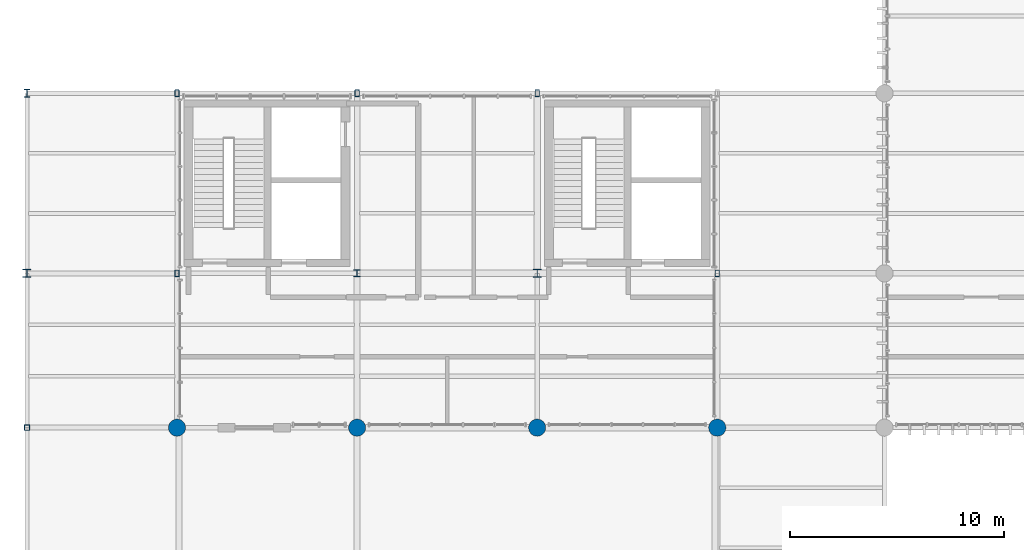
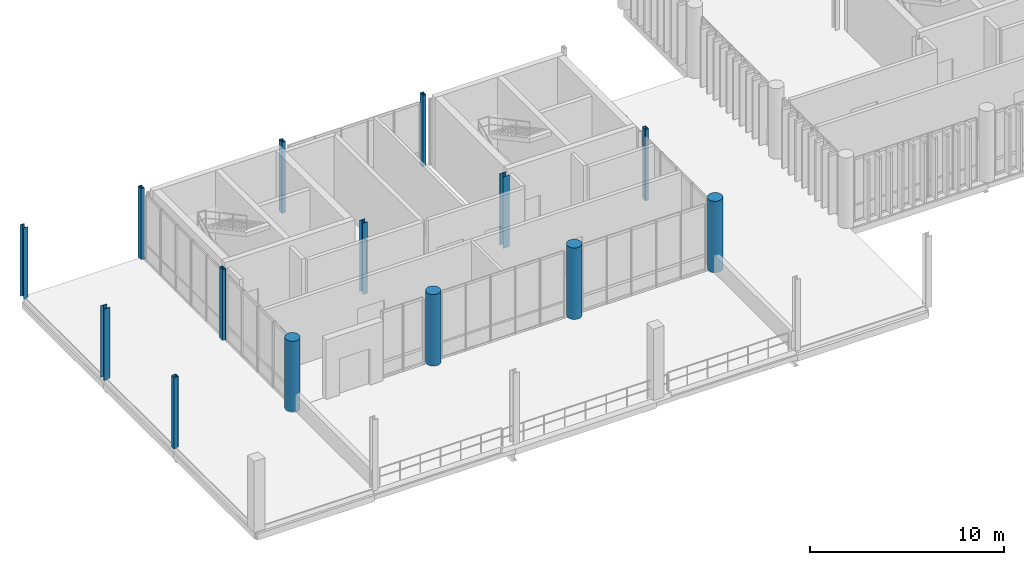
# One storey, part 2 of 68: 14 columns.
"""IFC4 building model written with IfcOpenShell, lengths in metres."""

from ifc_helpers import new_model, si_unit, direction, frame, origin_with_axes, origin_2d_with_axis, place, context, subcontext, project, spatial, hollow_rectangle, circle, i_section, extrude, material, material_profile, profile_set, type_object, element, save


model = new_model("IFC4")

# Units and contexts
model_context = context("Model", 3, precision=1e-05, world=origin_with_axes(), true_north=direction((0.0, 1.0)))
body_context = subcontext(model_context, "Body", "Model", "MODEL_VIEW")
ifc_project = project(units=[si_unit("LENGTHUNIT", "METRE"), si_unit("AREAUNIT", "SQUARE_METRE"), si_unit("VOLUMEUNIT", "CUBIC_METRE"), si_unit("PLANEANGLEUNIT", "RADIAN"), si_unit("MASSUNIT", "GRAM", prefix="KILO"), si_unit("THERMODYNAMICTEMPERATUREUNIT", "KELVIN")], contexts=[model_context])

# Site, building, storey
site_placement = place(None, origin_with_axes())
site = spatial("IfcSite", under=ifc_project, at=site_placement, CompositionType="ELEMENT")
building_placement = place(site_placement, origin_with_axes())
building = spatial("IfcBuilding", under=site, at=building_placement, Name="Montbau Bow Law Courts", CompositionType="ELEMENT")
storey_placement = place(building_placement, frame((0.0, 0.0, 20.4), z_axis=(0.0, 0.0, 1.0), x_axis=(1.0, 0.0, 0.0)))
storey = spatial("IfcBuildingStorey", under=building, at=storey_placement, Name="L04", CompositionType="ELEMENT", Elevation=20.4)

# Columns
ifc_material_1 = material(Name="Steel CSA G40.21 Grade 350W (350 MPa)", Category="steel")
ifc_material_profile_1 = material_profile(ifc_material_1, hollow_rectangle(XDim=0.254, YDim=0.254, WallThickness=0.0127, InnerFilletRadius=0.0254, OuterFilletRadius=0.0127, at=origin_2d_with_axis()), Name="HSS254X254X13", Category="Main", Priority=0)
ifc_profile_set_1 = profile_set([ifc_material_profile_1], Name="Steel CSA G40.21 Grade 350W (350 MPa)")
column_type_1 = type_object("IfcColumnType", Name="C-HSS-01", PredefinedType="COLUMN", material=ifc_profile_set_1)
column_1_placement = place(None, frame((6.8, 39.0, 20.4), z_axis=(0.0, 0.0, 1.0), x_axis=(1.0, 0.0, 0.0)))
element("IfcColumn", 1, at=column_1_placement, inside=storey, type_object=column_type_1, Name="C-L04-S0767:col2_0767", PredefinedType="COLUMN", context=body_context, shape_type="SweptSolid", body=[
    extrude(hollow_rectangle(XDim=0.254, YDim=0.254, WallThickness=0.0127, InnerFilletRadius=0.0254, OuterFilletRadius=0.0127, at=origin_2d_with_axis()), origin_with_axes(), (0.0, 0.0, 1.0), 4.5),
])
ifc_material_2 = material(Name="Steel CSA G40.21 Grade 350WT (350 MPa)", Category="steel")
ifc_material_profile_2 = material_profile(ifc_material_2, hollow_rectangle(XDim=0.203, YDim=0.305, WallThickness=0.0127, InnerFilletRadius=0.0254, OuterFilletRadius=0.0127, at=origin_2d_with_axis()), Name="HSS305X203X13", Category="Main", Priority=0)
ifc_profile_set_2 = profile_set([ifc_material_profile_2], Name="Steel CSA G40.21 Grade 350WT (350 MPa)")
column_type_2 = type_object("IfcColumnType", Name="C-HSS-03", PredefinedType="COLUMN", material=ifc_profile_set_2)
for number, where, z_axis, x_axis, name in (
    (2, (13.8, 46.2, 20.4), (0.0, 0.0, 1.0), (1.0, 0.0, 0.0), "C-L04-S0772:col2_0772"),
    (3, (13.8, 54.6, 20.4), (0.0, 0.0, 1.0), (1.0, 0.0, 0.0), "C-L04-S0773:col2_0773"),
    (4, (22.2, 54.6, 20.4), (0.0, 0.0, 1.0), (1.0, 0.0, 0.0), "C-L04-S0777:col2_0777"),
    (5, (30.6, 54.6, 20.4), (0.0, 0.0, 1.0), (1.0, 0.0, 0.0), "C-L04-S0781:col2_0781"),
    (6, (39.0, 46.2, 20.4), (0.0, 0.0, 1.0), (1.0, 0.0, 0.0), "C-L04-S0784:col2_0784"),
):
    element("IfcColumn", number, at=place(None, frame(where, z_axis=z_axis, x_axis=x_axis)), inside=storey, type_object=column_type_2, Name=name, PredefinedType="COLUMN", context=body_context, shape_type="SweptSolid", body=[
        extrude(hollow_rectangle(XDim=0.203, YDim=0.305, WallThickness=0.0127, InnerFilletRadius=0.0254, OuterFilletRadius=0.0127, at=origin_2d_with_axis()), origin_with_axes(), (0.0, 0.0, 1.0), 4.5),
    ])
ifc_material_3 = material(Name="Concrete CSA A23.1 f'c 40 MPa", Category="concrete")
ifc_material_profile_3 = material_profile(ifc_material_3, circle(Radius=0.4, at=origin_2d_with_axis()), Name="RC800D", Category="Main", Priority=0)
ifc_profile_set_3 = profile_set([ifc_material_profile_3], Name="Concrete CSA A23.1 f'c 40 MPa")
column_type_3 = type_object("IfcColumnType", Name="C-RC-07", PredefinedType="COLUMN", material=ifc_profile_set_3)
for number, where, z_axis, x_axis, name in (
    (7, (13.8, 39.0, 20.4), (0.0, 0.0, 1.0), (1.0, 0.0, 0.0), "C-L04-S0771:col2_0771"),
    (8, (22.2, 39.0, 20.4), (0.0, 0.0, 1.0), (1.0, 0.0, 0.0), "C-L04-S0775:col2_0775"),
    (9, (30.6, 39.0, 20.4), (0.0, 0.0, 1.0), (1.0, 0.0, 0.0), "C-L04-S0779:col2_0779"),
    (10, (39.0, 39.0, 20.4), (0.0, 0.0, 1.0), (1.0, 0.0, 0.0), "C-L04-S0783:col2_0783"),
):
    element("IfcColumn", number, at=place(None, frame(where, z_axis=z_axis, x_axis=x_axis)), inside=storey, type_object=column_type_3, Name=name, PredefinedType="COLUMN", context=body_context, shape_type="SweptSolid", body=[
        extrude(circle(Radius=0.4, at=origin_2d_with_axis()), origin_with_axes(), (0.0, 0.0, 1.0), 4.5),
    ])
ifc_material_profile_4 = material_profile(ifc_material_1, i_section(OverallWidth=0.373, OverallDepth=0.368, WebThickness=0.015, FlangeThickness=0.0239, at=origin_2d_with_axis()), Name="W360X179", Category="Main", Priority=0)
ifc_profile_set_4 = profile_set([ifc_material_profile_4], Name="Steel CSA G40.21 Grade 350W (350 MPa)")
column_type_4 = type_object("IfcColumnType", Name="C-STL-04", PredefinedType="COLUMN", material=ifc_profile_set_4)
for number, where, z_axis, x_axis, name in (
    (11, (6.8, 46.2, 20.4), (0.0, 0.0, 1.0), (1.0, 0.0, 0.0), "C-L04-S0768:col2_0768"),
    (12, (30.6, 46.2, 20.4), (0.0, 0.0, 1.0), (1.0, 0.0, 0.0), "C-L04-S0780:col2_0780"),
):
    element("IfcColumn", number, at=place(None, frame(where, z_axis=z_axis, x_axis=x_axis)), inside=storey, type_object=column_type_4, Name=name, PredefinedType="COLUMN", context=body_context, shape_type="SweptSolid", body=[
        extrude(i_section(OverallWidth=0.373, OverallDepth=0.368, WebThickness=0.015, FlangeThickness=0.0239, at=origin_2d_with_axis()), origin_with_axes(), (0.0, 0.0, 1.0), 4.5),
    ])
ifc_material_profile_5 = material_profile(ifc_material_1, i_section(OverallWidth=0.257, OverallDepth=0.363, WebThickness=0.013, FlangeThickness=0.0217, at=origin_2d_with_axis()), Name="W360X122", Category="Main", Priority=0)
ifc_profile_set_5 = profile_set([ifc_material_profile_5], Name="Steel CSA G40.21 Grade 350W (350 MPa)")
column_type_5 = type_object("IfcColumnType", Name="C-STL-05", PredefinedType="COLUMN", material=ifc_profile_set_5)
column_2_placement = place(None, frame((6.8, 54.6, 20.4), z_axis=(0.0, 0.0, 1.0), x_axis=(1.0, 0.0, 0.0)))
element("IfcColumn", 13, at=column_2_placement, inside=storey, type_object=column_type_5, Name="C-L04-S0769:col2_0769", PredefinedType="COLUMN", context=body_context, shape_type="SweptSolid", body=[
    extrude(i_section(OverallWidth=0.257, OverallDepth=0.363, WebThickness=0.013, FlangeThickness=0.0217, at=origin_2d_with_axis()), origin_with_axes(), (0.0, 0.0, 1.0), 4.5),
])
ifc_material_profile_6 = material_profile(ifc_material_1, i_section(OverallWidth=0.309, OverallDepth=0.323, WebThickness=0.014, FlangeThickness=0.0229, at=origin_2d_with_axis()), Name="W310X143", Category="Main", Priority=0)
ifc_profile_set_6 = profile_set([ifc_material_profile_6], Name="Steel CSA G40.21 Grade 350W (350 MPa)")
column_type_6 = type_object("IfcColumnType", Name="C-STL-06", PredefinedType="COLUMN", material=ifc_profile_set_6)
column_3_placement = place(None, frame((22.2, 46.2, 20.4), z_axis=(0.0, 0.0, 1.0), x_axis=(1.0, 0.0, 0.0)))
element("IfcColumn", 14, at=column_3_placement, inside=storey, type_object=column_type_6, Name="C-L04-S0776:col2_0776", PredefinedType="COLUMN", context=body_context, shape_type="SweptSolid", body=[
    extrude(i_section(OverallWidth=0.309, OverallDepth=0.323, WebThickness=0.014, FlangeThickness=0.0229, at=origin_2d_with_axis()), origin_with_axes(), (0.0, 0.0, 1.0), 4.5),
])

save(model, "model.ifc")
